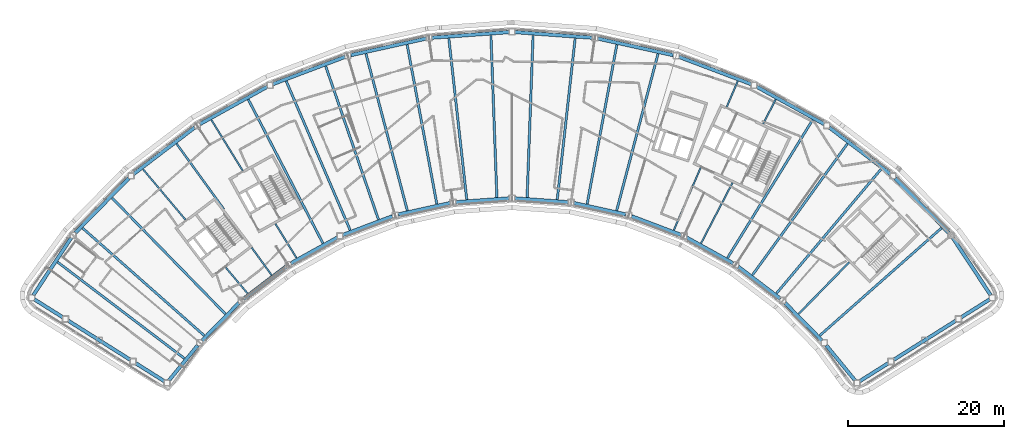
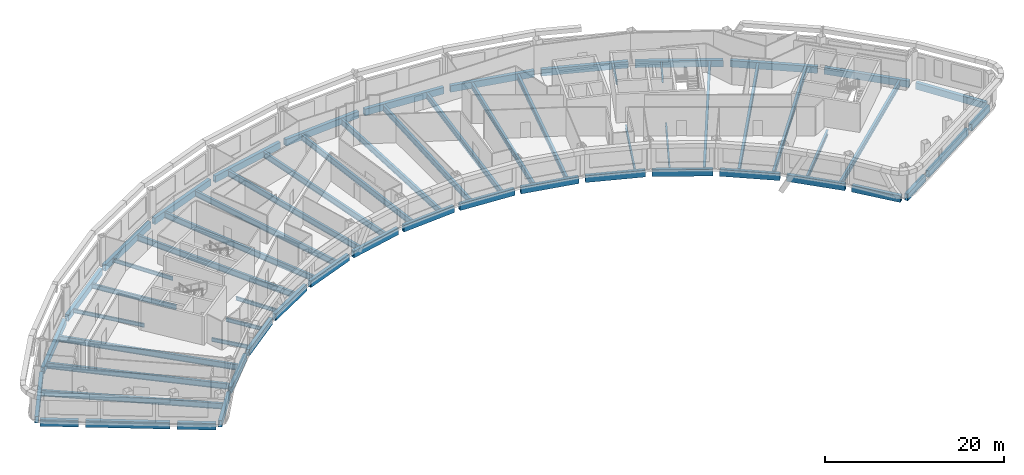
# One storey, part 3 of 14: 63 beams.
"""IFC4 building model written with IfcOpenShell, lengths in metres."""

from ifc_helpers import new_model, si_unit, direction, frame, origin, origin_2d, place, context, subcontext, project, spatial, hollow_rectangle, i_section, extrude, material, material_profile, profile_set, type_object, element, save


model = new_model("IFC4")

# Units and contexts
model_context = context("Model", 3, precision=1e-05, world=origin(), true_north=direction((0.0, 1.0)))
body_context = subcontext(model_context, "Body", "Model", "MODEL_VIEW")
ifc_project = project(units=[si_unit("LENGTHUNIT", "METRE"), si_unit("AREAUNIT", "SQUARE_METRE"), si_unit("VOLUMEUNIT", "CUBIC_METRE"), si_unit("PLANEANGLEUNIT", "RADIAN"), si_unit("MASSUNIT", "GRAM", prefix="KILO")], contexts=[model_context])

# Site, building, storey
site_placement = place(None, origin())
site = spatial("IfcSite", under=ifc_project, at=site_placement, CompositionType="ELEMENT")
building_placement = place(site_placement, origin())
building = spatial("IfcBuilding", under=site, at=building_placement, Name="Tuul Gate Civic Tower", CompositionType="ELEMENT")
storey_placement = place(building_placement, frame((0.0, 0.0, 323.89990234375)))
storey = spatial("IfcBuildingStorey", under=building, at=storey_placement, Name="Level 73", CompositionType="ELEMENT", Elevation=323.89990234375)

# Beams
ifc_material_1 = material(Name="Steel S355", Category="steel")
ifc_material_profile_1 = material_profile(ifc_material_1, i_section(OverallWidth=0.199951171875, OverallDepth=0.5, WebThickness=0.010009765625, FlangeThickness=0.01611328125, at=origin_2d()), Name="PG500x200x10x16")
ifc_profile_set_1 = profile_set([ifc_material_profile_1], Name="Steel S355")
beam_type_1 = type_object("IfcBeamType", Name="STR-FLOOR BEAM-PG500x200x10x16", PredefinedType="BEAM", material=ifc_profile_set_1)
beam_1_placement = place(storey_placement, frame((26.463134765625, -13.32080078125, -0.5498046875), z_axis=(0.460782795667, 0.887512938056, 0.0), x_axis=(-0.887512938056, 0.460782795667, 0.0)))
element("IfcBeam", 1, at=beam_1_placement, inside=storey, type_object=beam_type_1, Name="Floor beam", PredefinedType="BEAM", context=body_context, shape_type="SweptSolid", body=[
    extrude(i_section(OverallWidth=0.199951171875, OverallDepth=0.5, WebThickness=0.010009765625, FlangeThickness=0.01611328125, at=origin_2d()), origin(), (0.0, 0.0, 1.0), 8.768310546875),
])
beam_2_placement = place(storey_placement, frame((34.423583984375, 2.01220703125, -0.5498046875), z_axis=(0.460793282306, 0.887507493479, 0.0), x_axis=(-0.887507493479, 0.460793282306, 0.0)))
element("IfcBeam", 2, at=beam_2_placement, inside=storey, type_object=beam_type_1, Name="Floor beam", PredefinedType="BEAM", context=body_context, shape_type="SweptSolid", body=[
    extrude(i_section(OverallWidth=0.199951171875, OverallDepth=0.5, WebThickness=0.010009765625, FlangeThickness=0.01611328125, at=origin_2d()), origin(), (0.0, 0.0, 1.0), 3.53173828125),
])
beam_3_placement = place(storey_placement, frame((22.968505859375, -11.633056640625, -0.5498046875), z_axis=(0.394179708817, 0.91903338196, 0.0), x_axis=(-0.91903338196, 0.394179708817, 0.0)))
element("IfcBeam", 3, at=beam_3_placement, inside=storey, type_object=beam_type_1, Name="Floor beam", PredefinedType="BEAM", context=body_context, shape_type="SweptSolid", body=[
    extrude(i_section(OverallWidth=0.199951171875, OverallDepth=0.5, WebThickness=0.010009765625, FlangeThickness=0.01611328125, at=origin_2d()), origin(), (0.0, 0.0, 1.0), 8.7119140625),
])
beam_4_placement = place(storey_placement, frame((29.7548828125, 4.189208984375, -0.5498046875), z_axis=(0.394262656624, 0.918997800646, 0.0), x_axis=(-0.918997800646, 0.394262656624, 0.0)))
element("IfcBeam", 4, at=beam_4_placement, inside=storey, type_object=beam_type_1, Name="Floor beam", PredefinedType="BEAM", context=body_context, shape_type="SweptSolid", body=[
    extrude(i_section(OverallWidth=0.199951171875, OverallDepth=0.5, WebThickness=0.010009765625, FlangeThickness=0.01611328125, at=origin_2d()), origin(), (0.0, 0.0, 1.0), 3.60400390625),
])
beam_5_placement = place(storey_placement, frame((-25.47412109375, -15.2021484375, -0.5498046875), z_axis=(-0.524854989159, 0.851191659002, 0.0), x_axis=(-0.851191659002, -0.524854989159, 0.0)))
element("IfcBeam", 5, at=beam_5_placement, inside=storey, type_object=beam_type_1, Name="Floor beam", PredefinedType="BEAM", context=body_context, shape_type="SweptSolid", body=[
    extrude(i_section(OverallWidth=0.199951171875, OverallDepth=0.5, WebThickness=0.010009765625, FlangeThickness=0.01611328125, at=origin_2d()), origin(), (0.0, 0.0, 1.0), 5.1591796875),
])
beam_6_placement = place(storey_placement, frame((-32.385009765625, -3.993896484375, -0.5498046875), z_axis=(-0.524857120658, 0.851190344691, 0.0), x_axis=(-0.851190344691, -0.524857120658, 0.0)))
element("IfcBeam", 6, at=beam_6_placement, inside=storey, type_object=beam_type_1, Name="Floor beam", PredefinedType="BEAM", context=body_context, shape_type="SweptSolid", body=[
    extrude(i_section(OverallWidth=0.199951171875, OverallDepth=0.5, WebThickness=0.010009765625, FlangeThickness=0.01611328125, at=origin_2d()), origin(), (0.0, 0.0, 1.0), 7.654052734375),
])
beam_7_placement = place(storey_placement, frame((-28.677734375, -17.393310546875, -0.5498046875), z_axis=(-0.586074177431, 0.81025740265, 0.0), x_axis=(-0.81025740265, -0.586074177431, 0.0)))
element("IfcBeam", 7, at=beam_7_placement, inside=storey, type_object=beam_type_1, Name="Floor beam", PredefinedType="BEAM", context=body_context, shape_type="SweptSolid", body=[
    extrude(i_section(OverallWidth=0.199951171875, OverallDepth=0.5, WebThickness=0.010009765625, FlangeThickness=0.01611328125, at=origin_2d()), origin(), (0.0, 0.0, 1.0), 4.33642578125),
])
beam_8_placement = place(storey_placement, frame((-31.765869140625, -19.74462890625, -0.5498046875), z_axis=(-0.64417038831, 0.764882024122, 0.0), x_axis=(-0.764882024122, -0.64417038831, 0.0)))
element("IfcBeam", 8, at=beam_8_placement, inside=storey, type_object=beam_type_1, Name="Floor beam", PredefinedType="BEAM", context=body_context, shape_type="SweptSolid", body=[
    extrude(i_section(OverallWidth=0.199951171875, OverallDepth=0.5, WebThickness=0.010009765625, FlangeThickness=0.01611328125, at=origin_2d()), origin(), (0.0, 0.0, 1.0), 4.34033203125),
])
beam_9_placement = place(storey_placement, frame((-39.720703125, -10.298095703125, -0.5498046875), z_axis=(-0.644145503575, 0.764902980923, 0.0), x_axis=(-0.764902980923, -0.644145503575, 0.0)))
element("IfcBeam", 9, at=beam_9_placement, inside=storey, type_object=beam_type_1, Name="Floor beam", PredefinedType="BEAM", context=body_context, shape_type="SweptSolid", body=[
    extrude(i_section(OverallWidth=0.199951171875, OverallDepth=0.5, WebThickness=0.010009765625, FlangeThickness=0.01611328125, at=origin_2d()), origin(), (0.0, 0.0, 1.0), 8.47509765625),
])
ifc_material_2 = material(Name="Steel S355", Category="steel")
ifc_material_profile_2 = material_profile(ifc_material_2, i_section(OverallWidth=0.25, OverallDepth=0.64990234375, WebThickness=0.011962890625, FlangeThickness=0.02001953125, at=origin_2d()), Name="PG650x250x12x20")
ifc_profile_set_2 = profile_set([ifc_material_profile_2], Name="Steel S355")
beam_type_2 = type_object("IfcBeamType", Name="STR-FLOOR BEAM-PG650x250x12x20", PredefinedType="BEAM", material=ifc_profile_set_2)
beam_10_placement = place(storey_placement, frame((38.990234375, -22.390380859375, -0.625), z_axis=(0.698674470128, 0.715439714296, 0.0), x_axis=(-0.715439714296, 0.698674470128, 0.0)))
element("IfcBeam", 10, at=beam_10_placement, inside=storey, type_object=beam_type_2, Name="Floor beam", PredefinedType="BEAM", context=body_context, shape_type="SweptSolid", body=[
    extrude(i_section(OverallWidth=0.25, OverallDepth=0.64990234375, WebThickness=0.011962890625, FlangeThickness=0.02001953125, at=origin_2d()), origin(), (0.0, 0.0, 1.0), 9.290771484375),
])
beam_11_placement = place(storey_placement, frame((-34.799560546875, -8.9296875, -0.625), z_axis=(-0.586091808988, 0.810244649126, 0.0), x_axis=(-0.810244649126, -0.586091808988, 0.0)))
element("IfcBeam", 11, at=beam_11_placement, inside=storey, type_object=beam_type_2, Name="Floor beam", PredefinedType="BEAM", context=body_context, shape_type="SweptSolid", body=[
    extrude(i_section(OverallWidth=0.25, OverallDepth=0.64990234375, WebThickness=0.011962890625, FlangeThickness=0.02001953125, at=origin_2d()), origin(), (0.0, 0.0, 1.0), 10.360107421875),
])
ifc_material_3 = material(Name="Steel S355", Category="steel")
ifc_material_profile_3 = material_profile(ifc_material_3, i_section(OverallWidth=0.300048828125, OverallDepth=0.800048828125, WebThickness=0.013916015625, FlangeThickness=0.02490234375, at=origin_2d()), Name="PG800x300x14x25")
ifc_profile_set_3 = profile_set([ifc_material_profile_3], Name="Steel S355")
beam_type_3 = type_object("IfcBeamType", Name="STR-FLOOR BEAM-PG800x300x14x25", PredefinedType="BEAM", material=ifc_profile_set_3)
beam_12_placement = place(storey_placement, frame((41.707275390625, -25.16259765625, -0.699951171875), z_axis=(0.749453243269, 0.662057275584, 0.0), x_axis=(-0.662057275584, 0.749453243269, 0.0)))
element("IfcBeam", 12, at=beam_12_placement, inside=storey, type_object=beam_type_3, Name="Floor beam", PredefinedType="BEAM", context=body_context, shape_type="SweptSolid", body=[
    extrude(i_section(OverallWidth=0.300048828125, OverallDepth=0.800048828125, WebThickness=0.013916015625, FlangeThickness=0.02490234375, at=origin_2d()), origin(), (0.0, 0.0, 1.0), 20.828369140625),
])
beam_13_placement = place(storey_placement, frame((36.14990234375, -19.74462890625, -0.699951171875), z_axis=(0.644135745783, 0.764911198117, 0.0), x_axis=(-0.764911198117, 0.644135745783, 0.0)))
element("IfcBeam", 13, at=beam_13_placement, inside=storey, type_object=beam_type_3, Name="Floor beam", PredefinedType="BEAM", context=body_context, shape_type="SweptSolid", body=[
    extrude(i_section(OverallWidth=0.300048828125, OverallDepth=0.800048828125, WebThickness=0.013916015625, FlangeThickness=0.02490234375, at=origin_2d()), origin(), (0.0, 0.0, 1.0), 20.824951171875),
])
beam_14_placement = place(storey_placement, frame((33.061767578125, -17.393310546875, -0.699951171875), z_axis=(0.586073074744, 0.810258200242, 0.0), x_axis=(-0.810258200242, 0.586073074744, 0.0)))
element("IfcBeam", 14, at=beam_14_placement, inside=storey, type_object=beam_type_3, Name="Floor beam", PredefinedType="BEAM", context=body_context, shape_type="SweptSolid", body=[
    extrude(i_section(OverallWidth=0.300048828125, OverallDepth=0.800048828125, WebThickness=0.013916015625, FlangeThickness=0.02490234375, at=origin_2d()), origin(), (0.0, 0.0, 1.0), 20.8056640625),
])
beam_15_placement = place(storey_placement, frame((29.858154296875, -15.2021484375, -0.699951171875), z_axis=(0.524846935925, 0.85119662467, 0.0), x_axis=(-0.85119662467, 0.524846935925, 0.0)))
element("IfcBeam", 15, at=beam_15_placement, inside=storey, type_object=beam_type_3, Name="Floor beam", PredefinedType="BEAM", context=body_context, shape_type="SweptSolid", body=[
    extrude(i_section(OverallWidth=0.300048828125, OverallDepth=0.800048828125, WebThickness=0.013916015625, FlangeThickness=0.02490234375, at=origin_2d()), origin(), (0.0, 0.0, 1.0), 20.82177734375),
])
beam_16_placement = place(storey_placement, frame((15.630615234375, -9.11328125, -0.699951171875), z_axis=(0.255002430405, 0.966940412067, 0.0), x_axis=(-0.966940412067, 0.255002430405, 0.0)))
element("IfcBeam", 16, at=beam_16_placement, inside=storey, type_object=beam_type_3, Name="Floor beam", PredefinedType="BEAM", context=body_context, shape_type="SweptSolid", body=[
    extrude(i_section(OverallWidth=0.300048828125, OverallDepth=0.800048828125, WebThickness=0.013916015625, FlangeThickness=0.02490234375, at=origin_2d()), origin(), (0.0, 0.0, 1.0), 20.81689453125),
])
beam_17_placement = place(storey_placement, frame((11.84033203125, -8.2783203125, -0.699951171875), z_axis=(0.183149454547, 0.983085081414, 0.0), x_axis=(-0.983085081414, 0.183149454547, 0.0)))
element("IfcBeam", 17, at=beam_17_placement, inside=storey, type_object=beam_type_3, Name="Floor beam", PredefinedType="BEAM", context=body_context, shape_type="SweptSolid", body=[
    extrude(i_section(OverallWidth=0.300048828125, OverallDepth=0.800048828125, WebThickness=0.013916015625, FlangeThickness=0.02490234375, at=origin_2d()), origin(), (0.0, 0.0, 1.0), 20.81103515625),
])
beam_18_placement = place(storey_placement, frame((8.003173828125, -7.69873046875, -0.699951171875), z_axis=(0.110286058964, 0.993899886909, 0.0), x_axis=(-0.993899886909, 0.110286058964, 0.0)))
element("IfcBeam", 18, at=beam_18_placement, inside=storey, type_object=beam_type_3, Name="Floor beam", PredefinedType="BEAM", context=body_context, shape_type="SweptSolid", body=[
    extrude(i_section(OverallWidth=0.300048828125, OverallDepth=0.800048828125, WebThickness=0.013916015625, FlangeThickness=0.02490234375, at=origin_2d()), origin(), (0.0, 0.0, 1.0), 20.8154296875),
])
for number, where, z_axis, x_axis, name in (
    (19, (4.13232421875, -7.41796875, -0.699951171875), (0.036832478792, 0.999321454041, 0.0), (-0.999321454041, 0.036832478792, 0.0), "Floor beam"),
    (20, (0.251708984375, -7.41796875, -0.699951171875), (-0.036832478792, 0.999321454041, 0.0), (-0.999321454041, -0.036832478792, 0.0), "Floor beam"),
):
    element("IfcBeam", number, at=place(storey_placement, frame(where, z_axis=z_axis, x_axis=x_axis)), inside=storey, type_object=beam_type_3, Name=name, PredefinedType="BEAM", context=body_context, shape_type="SweptSolid", body=[
        extrude(i_section(OverallWidth=0.300048828125, OverallDepth=0.800048828125, WebThickness=0.013916015625, FlangeThickness=0.02490234375, at=origin_2d()), origin(), (0.0, 0.0, 1.0), 20.813232421875),
    ])
beam_19_placement = place(storey_placement, frame((-3.619140625, -7.69873046875, -0.699951171875), z_axis=(-0.110286058964, 0.993899886909, 0.0), x_axis=(-0.993899886909, -0.110286058964, 0.0)))
element("IfcBeam", 21, at=beam_19_placement, inside=storey, type_object=beam_type_3, Name="Floor beam", PredefinedType="BEAM", context=body_context, shape_type="SweptSolid", body=[
    extrude(i_section(OverallWidth=0.300048828125, OverallDepth=0.800048828125, WebThickness=0.013916015625, FlangeThickness=0.02490234375, at=origin_2d()), origin(), (0.0, 0.0, 1.0), 20.8154296875),
])
beam_20_placement = place(storey_placement, frame((-7.45654296875, -8.2783203125, -0.699951171875), z_axis=(-0.183138116697, 0.983087193596, 0.0), x_axis=(-0.983087193596, -0.183138116697, 0.0)))
element("IfcBeam", 22, at=beam_20_placement, inside=storey, type_object=beam_type_3, Name="Floor beam", PredefinedType="BEAM", context=body_context, shape_type="SweptSolid", body=[
    extrude(i_section(OverallWidth=0.300048828125, OverallDepth=0.800048828125, WebThickness=0.013916015625, FlangeThickness=0.02490234375, at=origin_2d()), origin(), (0.0, 0.0, 1.0), 20.81103515625),
])
beam_21_placement = place(storey_placement, frame((-11.24658203125, -9.11328125, -0.699951171875), z_axis=(-0.255002430405, 0.966940412067, 0.0), x_axis=(-0.966940412067, -0.255002430405, 0.0)))
element("IfcBeam", 23, at=beam_21_placement, inside=storey, type_object=beam_type_3, Name="Floor beam", PredefinedType="BEAM", context=body_context, shape_type="SweptSolid", body=[
    extrude(i_section(OverallWidth=0.300048828125, OverallDepth=0.800048828125, WebThickness=0.013916015625, FlangeThickness=0.02490234375, at=origin_2d()), origin(), (0.0, 0.0, 1.0), 20.81689453125),
])
beam_22_placement = place(storey_placement, frame((-14.954345703125, -10.259765625, -0.699951171875), z_axis=(-0.325483706592, 0.945547649113, 0.0), x_axis=(-0.945547649113, -0.325483706592, 0.0)))
element("IfcBeam", 24, at=beam_22_placement, inside=storey, type_object=beam_type_3, Name="Floor beam", PredefinedType="BEAM", context=body_context, shape_type="SweptSolid", body=[
    extrude(i_section(OverallWidth=0.300048828125, OverallDepth=0.800048828125, WebThickness=0.013916015625, FlangeThickness=0.02490234375, at=origin_2d()), origin(), (0.0, 0.0, 1.0), 20.808837890625),
])
beam_23_placement = place(storey_placement, frame((-18.58447265625, -11.633056640625, -0.699951171875), z_axis=(-0.39419807985, 0.919025502281, 0.0), x_axis=(-0.919025502281, -0.39419807985, 0.0)))
element("IfcBeam", 25, at=beam_23_placement, inside=storey, type_object=beam_type_3, Name="Floor beam", PredefinedType="BEAM", context=body_context, shape_type="SweptSolid", body=[
    extrude(i_section(OverallWidth=0.300048828125, OverallDepth=0.800048828125, WebThickness=0.013916015625, FlangeThickness=0.02490234375, at=origin_2d()), origin(), (0.0, 0.0, 1.0), 20.820068359375),
])
beam_24_placement = place(storey_placement, frame((-22.079345703125, -13.32080078125, -0.699951171875), z_axis=(-0.46076746296, 0.887520898389, 0.0), x_axis=(-0.887520898389, -0.46076746296, 0.0)))
element("IfcBeam", 26, at=beam_24_placement, inside=storey, type_object=beam_type_3, Name="Floor beam", PredefinedType="BEAM", context=body_context, shape_type="SweptSolid", body=[
    extrude(i_section(OverallWidth=0.300048828125, OverallDepth=0.800048828125, WebThickness=0.013916015625, FlangeThickness=0.02490234375, at=origin_2d()), origin(), (0.0, 0.0, 1.0), 20.80810546875),
])
beam_25_placement = place(storey_placement, frame((-34.606201171875, -22.390380859375, -0.699951171875), z_axis=(-0.698678629993, 0.715435651888, 0.0), x_axis=(-0.715435651888, -0.698678629993, 0.0)))
element("IfcBeam", 27, at=beam_25_placement, inside=storey, type_object=beam_type_3, Name="Floor beam", PredefinedType="BEAM", context=body_context, shape_type="SweptSolid", body=[
    extrude(i_section(OverallWidth=0.300048828125, OverallDepth=0.800048828125, WebThickness=0.013916015625, FlangeThickness=0.02490234375, at=origin_2d()), origin(), (0.0, 0.0, 1.0), 20.80517578125),
])
beam_26_placement = place(storey_placement, frame((-37.3232421875, -25.16259765625, -0.699951171875), z_axis=(-0.749453243269, 0.662057275584, 0.0), x_axis=(-0.662057275584, -0.749453243269, 0.0)))
element("IfcBeam", 28, at=beam_26_placement, inside=storey, type_object=beam_type_3, Name="Floor beam", PredefinedType="BEAM", context=body_context, shape_type="SweptSolid", body=[
    extrude(i_section(OverallWidth=0.300048828125, OverallDepth=0.800048828125, WebThickness=0.013916015625, FlangeThickness=0.02490234375, at=origin_2d()), origin(), (0.0, 0.0, 1.0), 20.828369140625),
])
beam_27_placement = place(storey_placement, frame((-39.8623046875, -28.107421875, -0.699951171875), z_axis=(-0.796145180606, 0.605105653087, 0.0), x_axis=(-0.605105653087, -0.796145180606, 0.0)))
element("IfcBeam", 29, at=beam_27_placement, inside=storey, type_object=beam_type_3, Name="Floor beam", PredefinedType="BEAM", context=body_context, shape_type="SweptSolid", body=[
    extrude(i_section(OverallWidth=0.300048828125, OverallDepth=0.800048828125, WebThickness=0.013916015625, FlangeThickness=0.02490234375, at=origin_2d()), origin(), (0.0, 0.0, 1.0), 20.462646484375),
])
ifc_material_4 = material(Name="Steel S355", Category="steel")
ifc_material_profile_4 = material_profile(ifc_material_4, hollow_rectangle(XDim=0.449951171875, YDim=0.89990234375, WallThickness=0.02490234375, at=origin_2d()), Name="BOX900x450x25")
ifc_profile_set_4 = profile_set([ifc_material_profile_4], Name="Steel S355")
beam_type_4 = type_object("IfcBeamType", Name="STR-SPANDREL BEAM-BOX900x450x25", PredefinedType="BEAM", material=ifc_profile_set_4)
beam_28_placement = place(storey_placement, frame((63.642333984375, -19.96630859375, -0.75), z_axis=(-0.551644580762, 0.834079286708, 0.0), x_axis=(-0.834079286708, -0.551644580762, 0.0)))
element("IfcBeam", 30, at=beam_28_placement, inside=storey, type_object=beam_type_4, Name="Spandrel beam", PredefinedType="BEAM", context=body_context, shape_type="SweptSolid", body=[
    extrude(hollow_rectangle(XDim=0.449951171875, YDim=0.89990234375, WallThickness=0.02490234375, at=origin_2d()), origin(), (0.0, 0.0, 1.0), 8.805908203125),
])
beam_29_placement = place(storey_placement, frame((58.283935546875, -12.00244140625, -0.75), z_axis=(-0.699989605726, 0.714153031132, 0.0), x_axis=(-0.714153031132, -0.699989605726, 0.0)))
element("IfcBeam", 31, at=beam_29_placement, inside=storey, type_object=beam_type_4, Name="Spandrel beam", PredefinedType="BEAM", context=body_context, shape_type="SweptSolid", body=[
    extrude(hollow_rectangle(XDim=0.449951171875, YDim=0.89990234375, WallThickness=0.02490234375, at=origin_2d()), origin(), (0.0, 0.0, 1.0), 9.876953125),
])
beam_30_placement = place(storey_placement, frame((50.771728515625, -4.420654296875, -0.75), z_axis=(-0.795660881085, 0.605742323361, 0.0), x_axis=(-0.605742323361, -0.795660881085, 0.0)))
element("IfcBeam", 32, at=beam_30_placement, inside=storey, type_object=beam_type_4, Name="Spandrel beam", PredefinedType="BEAM", context=body_context, shape_type="SweptSolid", body=[
    extrude(hollow_rectangle(XDim=0.449951171875, YDim=0.89990234375, WallThickness=0.02490234375, at=origin_2d()), origin(), (0.0, 0.0, 1.0), 9.877685546875),
])
beam_31_placement = place(storey_placement, frame((42.244140625, 1.9990234375, -0.75), z_axis=(-0.874589490657, 0.484864128218, 0.0), x_axis=(-0.484864128218, -0.874589490657, 0.0)))
element("IfcBeam", 33, at=beam_31_placement, inside=storey, type_object=beam_type_4, Name="Spandrel beam", PredefinedType="BEAM", context=body_context, shape_type="SweptSolid", body=[
    extrude(hollow_rectangle(XDim=0.449951171875, YDim=0.89990234375, WallThickness=0.02490234375, at=origin_2d()), origin(), (0.0, 0.0, 1.0), 9.877197265625),
])
beam_32_placement = place(storey_placement, frame((32.8818359375, 7.12353515625, -0.75), z_axis=(-0.935381084373, 0.353641381907, 0.0), x_axis=(-0.353641381907, -0.935381084373, 0.0)))
element("IfcBeam", 34, at=beam_32_placement, inside=storey, type_object=beam_type_4, Name="Spandrel beam", PredefinedType="BEAM", context=body_context, shape_type="SweptSolid", body=[
    extrude(hollow_rectangle(XDim=0.449951171875, YDim=0.89990234375, WallThickness=0.02490234375, at=origin_2d()), origin(), (0.0, 0.0, 1.0), 9.876953125),
])
beam_33_placement = place(storey_placement, frame((22.87841796875, 10.843994140625, -0.75), z_axis=(-0.976565880984, 0.215218679716, 0.0), x_axis=(-0.215218679716, -0.976565880984, 0.0)))
element("IfcBeam", 35, at=beam_33_placement, inside=storey, type_object=beam_type_4, Name="Spandrel beam", PredefinedType="BEAM", context=body_context, shape_type="SweptSolid", body=[
    extrude(hollow_rectangle(XDim=0.449951171875, YDim=0.89990234375, WallThickness=0.02490234375, at=origin_2d()), origin(), (0.0, 0.0, 1.0), 9.878173828125),
])
for number, where, z_axis, x_axis, name in (
    (36, (12.442138671875, 13.0849609375, -0.75), (-0.99738285886, 0.07230098791, 0.0), (-0.07230098791, -0.99738285886, 0.0), "Spandrel beam"),
    (37, (1.79296875, 13.799072265625, -0.75), (-0.99738285886, -0.07230098791, 0.0), (0.07230098791, -0.99738285886, 0.0), "Spandrel beam"),
):
    element("IfcBeam", number, at=place(storey_placement, frame(where, z_axis=z_axis, x_axis=x_axis)), inside=storey, type_object=beam_type_4, Name=name, PredefinedType="BEAM", context=body_context, shape_type="SweptSolid", body=[
        extrude(hollow_rectangle(XDim=0.449951171875, YDim=0.89990234375, WallThickness=0.02490234375, at=origin_2d()), origin(), (0.0, 0.0, 1.0), 9.876953125),
    ])
beam_34_placement = place(storey_placement, frame((-8.84765625, 12.969970703125, -0.75), z_axis=(-0.976565880984, -0.215218679716, 0.0), x_axis=(0.215218679716, -0.976565880984, 0.0)))
element("IfcBeam", 38, at=beam_34_placement, inside=storey, type_object=beam_type_4, Name="Spandrel beam", PredefinedType="BEAM", context=body_context, shape_type="SweptSolid", body=[
    extrude(hollow_rectangle(XDim=0.449951171875, YDim=0.89990234375, WallThickness=0.02490234375, at=origin_2d()), origin(), (0.0, 0.0, 1.0), 9.878173828125),
])
for number, where, z_axis, x_axis, name in (
    (39, (-19.259033203125, 10.616455078125, -0.75), (-0.935381084373, -0.353641381907, 0.0), (0.353641381907, -0.935381084373, 0.0), "Spandrel beam"),
    (40, (-29.221923828125, 6.7880859375, -0.75), (-0.874583679484, -0.484874610162, 0.0), (0.484874610162, -0.874583679484, 0.0), "Spandrel beam"),
):
    element("IfcBeam", number, at=place(storey_placement, frame(where, z_axis=z_axis, x_axis=x_axis)), inside=storey, type_object=beam_type_4, Name=name, PredefinedType="BEAM", context=body_context, shape_type="SweptSolid", body=[
        extrude(hollow_rectangle(XDim=0.449951171875, YDim=0.89990234375, WallThickness=0.02490234375, at=origin_2d()), origin(), (0.0, 0.0, 1.0), 9.876953125),
    ])
beam_35_placement = place(storey_placement, frame((-38.5283203125, 1.562744140625, -0.75), z_axis=(-0.795660881085, -0.605742323361, 0.0), x_axis=(0.605742323361, -0.795660881085, 0.0)))
element("IfcBeam", 41, at=beam_35_placement, inside=storey, type_object=beam_type_4, Name="Spandrel beam", PredefinedType="BEAM", context=body_context, shape_type="SweptSolid", body=[
    extrude(hollow_rectangle(XDim=0.449951171875, YDim=0.89990234375, WallThickness=0.02490234375, at=origin_2d()), origin(), (0.0, 0.0, 1.0), 9.877685546875),
])
beam_36_placement = place(storey_placement, frame((-46.986083984375, -4.94873046875, -0.75), z_axis=(-0.699989605726, -0.714153031132, 0.0), x_axis=(0.714153031132, -0.699989605726, 0.0)))
element("IfcBeam", 42, at=beam_36_placement, inside=storey, type_object=beam_type_4, Name="Spandrel beam", PredefinedType="BEAM", context=body_context, shape_type="SweptSolid", body=[
    extrude(hollow_rectangle(XDim=0.449951171875, YDim=0.89990234375, WallThickness=0.02490234375, at=origin_2d()), origin(), (0.0, 0.0, 1.0), 9.876953125),
])
beam_37_placement = place(storey_placement, frame((-54.400634765625, -12.62158203125, -0.75), z_axis=(-0.551644580762, -0.834079286708, 0.0), x_axis=(0.834079286708, -0.551644580762, 0.0)))
element("IfcBeam", 43, at=beam_37_placement, inside=storey, type_object=beam_type_4, Name="Spandrel beam", PredefinedType="BEAM", context=body_context, shape_type="SweptSolid", body=[
    extrude(hollow_rectangle(XDim=0.449951171875, YDim=0.89990234375, WallThickness=0.02490234375, at=origin_2d()), origin(), (0.0, 0.0, 1.0), 8.805908203125),
])
beam_38_placement = place(storey_placement, frame((-59.140625, -20.51318359375, -0.75), z_axis=(0.846211196037, -0.532847643985, 0.0), x_axis=(0.532847643985, 0.846211196037, 0.0)))
element("IfcBeam", 44, at=beam_38_placement, inside=storey, type_object=beam_type_4, Name="Spandrel beam", PredefinedType="BEAM", context=body_context, shape_type="SweptSolid", body=[
    extrude(hollow_rectangle(XDim=0.449951171875, YDim=0.89990234375, WallThickness=0.02490234375, at=origin_2d()), origin(), (0.0, 0.0, 1.0), 4.33251953125),
])
beam_39_placement = place(storey_placement, frame((-54.797607421875, -23.248046875, -0.75), z_axis=(0.84620354352, -0.532859796695, 0.0), x_axis=(0.532859796695, 0.84620354352, 0.0)))
element("IfcBeam", 45, at=beam_39_placement, inside=storey, type_object=beam_type_4, Name="Spandrel beam", PredefinedType="BEAM", context=body_context, shape_type="SweptSolid", body=[
    extrude(hollow_rectangle(XDim=0.449951171875, YDim=0.89990234375, WallThickness=0.02490234375, at=origin_2d()), origin(), (0.0, 0.0, 1.0), 9.463623046875),
])
beam_40_placement = place(storey_placement, frame((-46.112548828125, -28.71728515625, -0.75), z_axis=(0.84613117079, -0.532974710298, 0.0), x_axis=(0.532974710298, 0.84613117079, 0.0)))
element("IfcBeam", 46, at=beam_40_placement, inside=storey, type_object=beam_type_4, Name="Spandrel beam", PredefinedType="BEAM", context=body_context, shape_type="SweptSolid", body=[
    extrude(hollow_rectangle(XDim=0.449951171875, YDim=0.89990234375, WallThickness=0.02490234375, at=origin_2d()), origin(), (0.0, 0.0, 1.0), 4.33154296875),
])
beam_41_placement = place(storey_placement, frame((-41.855224609375, -30.9296875, -0.75), z_axis=(0.634404835744, 0.773000973081, 0.0), x_axis=(-0.773000973081, 0.634404835744, 0.0)))
element("IfcBeam", 47, at=beam_41_placement, inside=storey, type_object=beam_type_4, Name="Spandrel beam", PredefinedType="BEAM", context=body_context, shape_type="SweptSolid", body=[
    extrude(hollow_rectangle(XDim=0.449951171875, YDim=0.89990234375, WallThickness=0.02490234375, at=origin_2d()), origin(), (0.0, 0.0, 1.0), 5.851806640625),
])
beam_42_placement = place(storey_placement, frame((-37.609130859375, -25.811279296875, -0.75), z_axis=(0.699971853877, 0.714170430485, 0.0), x_axis=(-0.714170430485, 0.699971853877, 0.0)))
element("IfcBeam", 48, at=beam_42_placement, inside=storey, type_object=beam_type_4, Name="Spandrel beam", PredefinedType="BEAM", context=body_context, shape_type="SweptSolid", body=[
    extrude(hollow_rectangle(XDim=0.449951171875, YDim=0.89990234375, WallThickness=0.02490234375, at=origin_2d()), origin(), (0.0, 0.0, 1.0), 6.7919921875),
])
for number, where, z_axis, x_axis, name in (
    (49, (-32.2568359375, -20.4326171875, -0.75), (0.795626424775, 0.605787580098, 0.0), (-0.605787580098, 0.795626424775, 0.0), "Spandrel beam"),
    (50, (-26.18505859375, -15.882080078125, -0.75), (0.87464856826, 0.484757549751, 0.0), (-0.484757549751, 0.87464856826, 0.0), "Spandrel beam"),
):
    element("IfcBeam", number, at=place(storey_placement, frame(where, z_axis=z_axis, x_axis=x_axis)), inside=storey, type_object=beam_type_4, Name=name, PredefinedType="BEAM", context=body_context, shape_type="SweptSolid", body=[
        extrude(hollow_rectangle(XDim=0.449951171875, YDim=0.89990234375, WallThickness=0.02490234375, at=origin_2d()), origin(), (0.0, 0.0, 1.0), 6.79150390625),
    ])
beam_43_placement = place(storey_placement, frame((-19.520751953125, -12.25439453125, -0.75), z_axis=(0.935326768609, 0.353785013707, 0.0), x_axis=(-0.353785013707, 0.935326768609, 0.0)))
element("IfcBeam", 51, at=beam_43_placement, inside=storey, type_object=beam_type_4, Name="Spandrel beam", PredefinedType="BEAM", context=body_context, shape_type="SweptSolid", body=[
    extrude(hollow_rectangle(XDim=0.449951171875, YDim=0.89990234375, WallThickness=0.02490234375, at=origin_2d()), origin(), (0.0, 0.0, 1.0), 6.791748046875),
])
beam_44_placement = place(storey_placement, frame((-12.4033203125, -9.6240234375, -0.75), z_axis=(0.976589670026, 0.215110707308, 0.0), x_axis=(-0.215110707308, 0.976589670026, 0.0)))
element("IfcBeam", 52, at=beam_44_placement, inside=storey, type_object=beam_type_4, Name="Spandrel beam", PredefinedType="BEAM", context=body_context, shape_type="SweptSolid", body=[
    extrude(hollow_rectangle(XDim=0.449951171875, YDim=0.89990234375, WallThickness=0.02490234375, at=origin_2d()), origin(), (0.0, 0.0, 1.0), 6.79150390625),
])
for number, where, z_axis, x_axis, name in (
    (53, (-4.98095703125, -8.048095703125, -0.75), (0.997381114382, 0.072325048733, 0.0), (-0.072325048733, 0.997381114382, 0.0), "Spandrel beam"),
    (54, (2.591064453125, -7.556884765625, -0.75), (0.997381114382, -0.072325048733, 0.0), (0.072325048733, 0.997381114382, 0.0), "Spandrel beam"),
    (55, (10.154541015625, -8.1630859375, -0.75), (0.97659133333, -0.215103155869, 0.0), (0.215103155869, 0.97659133333, 0.0), "Spandrel beam"),
    (56, (17.55224609375, -9.8515625, -0.75), (0.935326768609, -0.353785013707, 0.0), (0.353785013707, 0.935326768609, 0.0), "Spandrel beam"),
):
    element("IfcBeam", number, at=place(storey_placement, frame(where, z_axis=z_axis, x_axis=x_axis)), inside=storey, type_object=beam_type_4, Name=name, PredefinedType="BEAM", context=body_context, shape_type="SweptSolid", body=[
        extrude(hollow_rectangle(XDim=0.449951171875, YDim=0.89990234375, WallThickness=0.02490234375, at=origin_2d()), origin(), (0.0, 0.0, 1.0), 6.791748046875),
    ])
for number, where, z_axis, x_axis, name in (
    (57, (24.62890625, -12.58984375, -0.75), (0.87464856826, -0.484757549751, 0.0), (0.484757549751, 0.87464856826, 0.0), "Spandrel beam"),
    (58, (31.2373046875, -16.318359375, -0.75), (0.795626424775, -0.605787580098, 0.0), (0.605787580098, 0.795626424775, 0.0), "Spandrel beam"),
):
    element("IfcBeam", number, at=place(storey_placement, frame(where, z_axis=z_axis, x_axis=x_axis)), inside=storey, type_object=beam_type_4, Name=name, PredefinedType="BEAM", context=body_context, shape_type="SweptSolid", body=[
        extrude(hollow_rectangle(XDim=0.449951171875, YDim=0.89990234375, WallThickness=0.02490234375, at=origin_2d()), origin(), (0.0, 0.0, 1.0), 6.79150390625),
    ])
beam_45_placement = place(storey_placement, frame((37.239013671875, -20.960693359375, -0.75), z_axis=(0.69995351943, -0.71418839996, 0.0), x_axis=(0.71418839996, 0.69995351943, 0.0)))
element("IfcBeam", 59, at=beam_45_placement, inside=storey, type_object=beam_type_4, Name="Spandrel beam", PredefinedType="BEAM", context=body_context, shape_type="SweptSolid", body=[
    extrude(hollow_rectangle(XDim=0.449951171875, YDim=0.89990234375, WallThickness=0.02490234375, at=origin_2d()), origin(), (0.0, 0.0, 1.0), 6.791748046875),
])
beam_46_placement = place(storey_placement, frame((42.52685546875, -26.40625, -0.75), z_axis=(0.634404835744, -0.773000973081, 0.0), x_axis=(0.773000973081, 0.634404835744, 0.0)))
element("IfcBeam", 60, at=beam_46_placement, inside=storey, type_object=beam_type_4, Name="Spandrel beam", PredefinedType="BEAM", context=body_context, shape_type="SweptSolid", body=[
    extrude(hollow_rectangle(XDim=0.449951171875, YDim=0.89990234375, WallThickness=0.02490234375, at=origin_2d()), origin(), (0.0, 0.0, 1.0), 5.851806640625),
])
beam_47_placement = place(storey_placement, frame((46.83154296875, -31.02587890625, -0.75), z_axis=(0.84613117079, 0.532974710298, 0.0), x_axis=(-0.532974710298, 0.84613117079, 0.0)))
element("IfcBeam", 61, at=beam_47_placement, inside=storey, type_object=beam_type_4, Name="Spandrel beam", PredefinedType="BEAM", context=body_context, shape_type="SweptSolid", body=[
    extrude(hollow_rectangle(XDim=0.449951171875, YDim=0.89990234375, WallThickness=0.02490234375, at=origin_2d()), origin(), (0.0, 0.0, 1.0), 4.33154296875),
])
beam_48_placement = place(storey_placement, frame((51.173583984375, -28.290771484375, -0.75), z_axis=(0.84620354352, 0.532859796695, 0.0), x_axis=(-0.532859796695, 0.84620354352, 0.0)))
element("IfcBeam", 62, at=beam_48_placement, inside=storey, type_object=beam_type_4, Name="Spandrel beam", PredefinedType="BEAM", context=body_context, shape_type="SweptSolid", body=[
    extrude(hollow_rectangle(XDim=0.449951171875, YDim=0.89990234375, WallThickness=0.02490234375, at=origin_2d()), origin(), (0.0, 0.0, 1.0), 9.463623046875),
])
beam_49_placement = place(storey_placement, frame((59.8583984375, -22.82177734375, -0.75), z_axis=(0.846195195567, 0.532873053362, 0.0), x_axis=(-0.532873053362, 0.846195195567, 0.0)))
element("IfcBeam", 63, at=beam_49_placement, inside=storey, type_object=beam_type_4, Name="Spandrel beam", PredefinedType="BEAM", context=body_context, shape_type="SweptSolid", body=[
    extrude(hollow_rectangle(XDim=0.449951171875, YDim=0.89990234375, WallThickness=0.02490234375, at=origin_2d()), origin(), (0.0, 0.0, 1.0), 4.332275390625),
])

save(model, "model.ifc")
